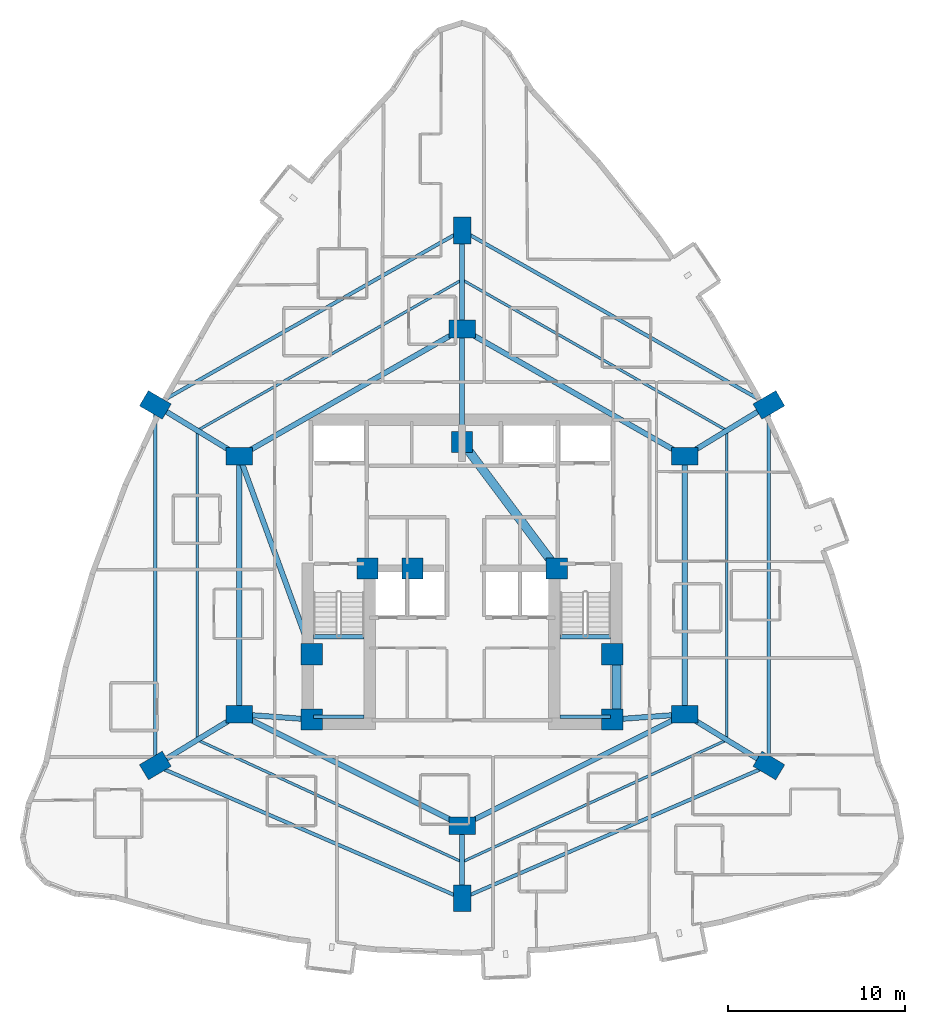
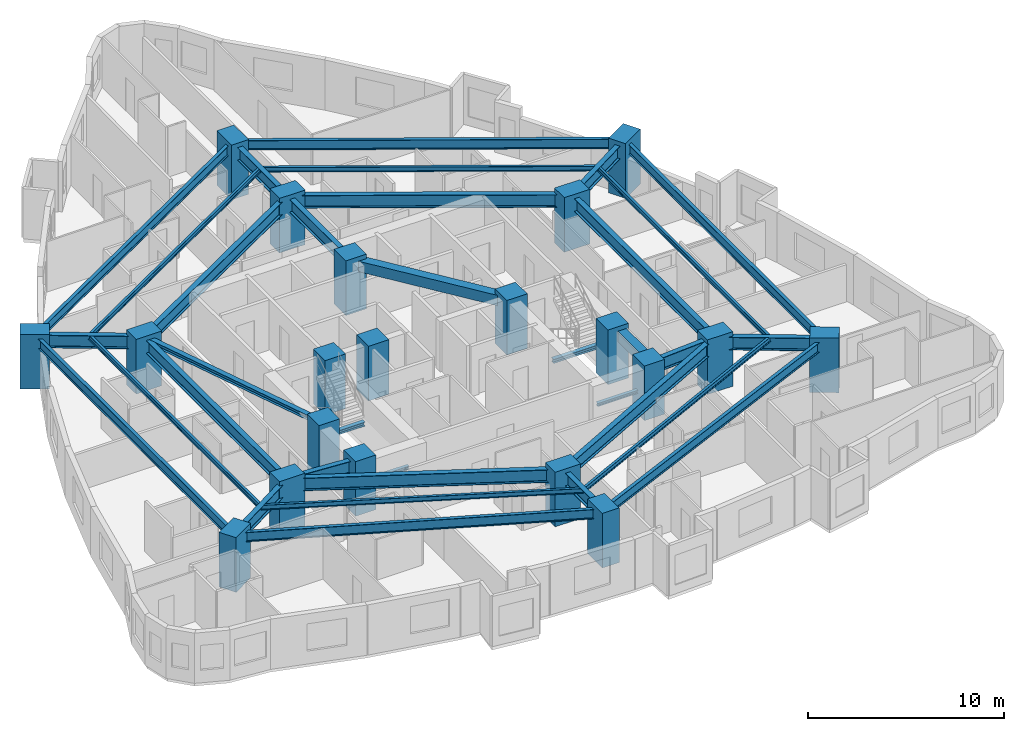
# One storey, part 1 of 15: 34 beams, 20 columns.
"""IFC4 building model written with IfcOpenShell, lengths in metres."""

from ifc_helpers import new_model, si_unit, direction, frame, origin, origin_2d, place, context, subcontext, project, spatial, rectangle, i_section, extrude, material, material_profile, profile_set, type_object, element, save


model = new_model("IFC4")

# Units and contexts
model_context = context("Model", 3, precision=1e-05, world=origin(), true_north=direction((0.0, 1.0)))
body_context = subcontext(model_context, "Body", "Model", "MODEL_VIEW")
ifc_project = project(units=[si_unit("LENGTHUNIT", "METRE"), si_unit("AREAUNIT", "SQUARE_METRE"), si_unit("VOLUMEUNIT", "CUBIC_METRE"), si_unit("PLANEANGLEUNIT", "RADIAN"), si_unit("MASSUNIT", "GRAM", prefix="KILO")], contexts=[model_context])

# Site, building, storey
site_placement = place(None, origin())
site = spatial("IfcSite", under=ifc_project, at=site_placement, CompositionType="ELEMENT")
building_placement = place(site_placement, origin())
building = spatial("IfcBuilding", under=site, at=building_placement, Name="Miruveldt Soraemaru", CompositionType="ELEMENT")
storey_placement = place(building_placement, frame((0.0, 0.0, 39.39990234375)))
storey = spatial("IfcBuildingStorey", under=building, at=storey_placement, Name="L10", CompositionType="ELEMENT", Elevation=39.39990234375)

# Columns
ifc_material_1 = material(Name="Concrete C70/85 (70 MPa)", Category="concrete")
ifc_material_profile_1 = material_profile(ifc_material_1, rectangle(XDim=1.199951171875, YDim=1.199951171875, at=origin_2d()), Name="Concrete C70/85 (70 MPa)", Category="concrete")
ifc_profile_set_1 = profile_set([ifc_material_profile_1], Name="Concrete C70/85 (70 MPa)")
column_type_1 = type_object("IfcColumnType", Name="COL-CORE-1200", PredefinedType="COLUMN", material=ifc_profile_set_1)
for number, where, z_axis, x_axis, name in (
    (1, (35.5, 35.5, 0.0), (0.0, 0.0, 1.0), (1.0, 0.0, 0.0), "L10 Structural Column CC1"),
    (2, (38.64990234375, 44.050048828125, 0.0), (0.0, 0.0, 1.0), (1.0, 0.0, 0.0), "L10 Structural Column CC2"),
    (3, (52.5, 35.5, 0.0), (0.0, 0.0, 1.0), (1.0, 0.0, 0.0), "L10 Structural Column CC3"),
    (4, (52.5, 39.199951171875, 0.0), (0.0, 0.0, 1.0), (1.0, 0.0, 0.0), "L10 Structural Column CC4"),
    (5, (49.35009765625, 44.050048828125, 0.0), (0.0, 0.0, 1.0), (1.0, 0.0, 0.0), "L10 Structural Column CC5"),
    (6, (44.0, 51.199951171875, 0.0), (0.0, 0.0, 1.0), (1.0, 0.0, 0.0), "L10 Structural Column CC6"),
    (7, (35.5, 39.199951171875, 0.0), (0.0, 0.0, 1.0), (1.0, 0.0, 0.0), "L10 Structural Column CC7"),
    (8, (41.199951171875, 44.050048828125, 0.0), (0.0, 0.0, 1.0), (1.0, 0.0, 0.0), "L10 Structural Column CC8"),
):
    element("IfcColumn", number, at=place(storey_placement, frame(where, z_axis=z_axis, x_axis=x_axis)), inside=storey, type_object=column_type_1, Name=name, PredefinedType="COLUMN", context=body_context, shape_type="SweptSolid", body=[
        extrude(rectangle(XDim=1.199951171875, YDim=1.199951171875, at=origin_2d()), origin(), (0.0, 0.0, 1.0), 3.400146484375),
    ])
ifc_material_2 = material(Name="Concrete C80/95 (80 MPa)", Category="concrete")
ifc_material_profile_2 = material_profile(ifc_material_2, rectangle(XDim=1.5, YDim=1.0, at=origin_2d()), Name="Concrete C80/95 (80 MPa)", Category="concrete")
ifc_profile_set_2 = profile_set([ifc_material_profile_2], Name="Concrete C80/95 (80 MPa)")
column_type_2 = type_object("IfcColumnType", Name="COL-TW-Z1A", PredefinedType="COLUMN", material=ifc_profile_set_2)
for number, where, z_axis, x_axis, name in (
    (9, (44.0, 57.60009765625, 0.0), (0.0, 0.0, 1.0), (1.0, 0.0, 0.0), "L10 Structural Column IR01"),
    (10, (56.60009765625, 50.39990234375, 0.0), (0.0, 0.0, 1.0), (1.0, 0.0, 0.0), "L10 Structural Column IR02"),
    (11, (56.60009765625, 35.800048828125, 0.0), (0.0, 0.0, 1.0), (1.0, 0.0, 0.0), "L10 Structural Column IR03"),
    (12, (44.0, 29.5, 0.0), (0.0, 0.0, 1.0), (1.0, 0.0, 0.0), "L10 Structural Column IR04"),
    (13, (31.39990234375, 35.800048828125, 0.0), (0.0, 0.0, 1.0), (1.0, 0.0, 0.0), "L10 Structural Column IR05"),
    (14, (31.39990234375, 50.39990234375, 0.0), (0.0, 0.0, 1.0), (1.0, 0.0, 0.0), "L10 Structural Column IR06"),
    (15, (44.0, 63.16796875, 0.0), (0.0, 0.0, 1.0), (0.0, 1.0, 0.0), "L10 Structural Column Z1P01"),
    (16, (61.35595703125, 53.300048828125, 0.0), (0.0, 0.0, 1.0), (0.864274801954, 0.50301994663, 0.0), "L10 Structural Column Z1P02"),
    (17, (61.35595703125, 32.89990234375, 0.0), (0.0, 0.0, 1.0), (-0.859852271597, 0.510542917912, 0.0), "L10 Structural Column Z1P03"),
    (18, (44.0, 25.382080078125, 0.0), (0.0, 0.0, 1.0), (0.0, 1.0, 0.0), "L10 Structural Column Z1P04"),
    (19, (26.64404296875, 32.89990234375, 0.0), (0.0, 0.0, 1.0), (0.859852271597, 0.510542917912, 0.0), "L10 Structural Column Z1P05"),
    (20, (26.64404296875, 53.300048828125, 0.0), (0.0, 0.0, 1.0), (-0.864274801954, 0.50301994663, 0.0), "L10 Structural Column Z1P06"),
):
    element("IfcColumn", number, at=place(storey_placement, frame(where, z_axis=z_axis, x_axis=x_axis)), inside=storey, type_object=column_type_2, Name=name, PredefinedType="COLUMN", context=body_context, shape_type="SweptSolid", body=[
        extrude(rectangle(XDim=1.5, YDim=1.0, at=origin_2d()), origin(), (0.0, 0.0, 1.0), 3.400146484375),
    ])

# Beams
ifc_material_3 = material(Name="Steel SM355 (355 MPa)", Category="steel")
ifc_material_profile_3 = material_profile(ifc_material_3, i_section(OverallWidth=0.300048828125, OverallDepth=0.300048828125, WebThickness=0.010009765625, FlangeThickness=0.014892578125, FilletRadius=0.01806640625, at=origin_2d()), Name="Steel SM355 (355 MPa)", Category="steel")
ifc_profile_set_3 = profile_set([ifc_material_profile_3], Name="Steel SM355 (355 MPa)")
beam_type_1 = type_object("IfcBeamType", Name="BM-LNT-H300", PredefinedType="LINTEL", material=ifc_profile_set_3)
beam_1_placement = place(storey_placement, frame((31.39990234375, 50.39990234375, 2.97509765625), z_axis=(0.343770424598, -0.939053723262, 0.0), x_axis=(0.939053723262, 0.343770424598, 0.0)))
element("IfcBeam", 21, at=beam_1_placement, inside=storey, type_object=beam_type_1, Name="L10 West Lobby Lintel", PredefinedType="LINTEL", context=body_context, shape_type="SweptSolid", body=[
    extrude(i_section(OverallWidth=0.300048828125, OverallDepth=0.300048828125, WebThickness=0.010009765625, FlangeThickness=0.014892578125, FilletRadius=0.01806640625, at=origin_2d()), origin(), (0.0, 0.0, 1.0), 11.9267578125),
])
ifc_material_4 = material(Name="Concrete C50/60 (50 MPa)", Category="concrete")
ifc_material_profile_4 = material_profile(ifc_material_4, rectangle(XDim=0.5, YDim=0.64990234375, at=origin_2d()), Name="Concrete C50/60 (50 MPa)", Category="concrete")
ifc_profile_set_4 = profile_set([ifc_material_profile_4], Name="Concrete C50/60 (50 MPa)")
beam_type_2 = type_object("IfcBeamType", Name="BM-RC-500x650", PredefinedType="BEAM", material=ifc_profile_set_4)
beam_2_placement = place(storey_placement, frame((52.72998046875, 35.5, 2.800048828125), z_axis=(0.0, 1.0, 0.0), x_axis=(-1.0, 0.0, 0.0)))
element("IfcBeam", 22, at=beam_2_placement, inside=storey, type_object=beam_type_2, Name="L10 Core Tie Beam 3", PredefinedType="BEAM", context=body_context, shape_type="SweptSolid", body=[
    extrude(rectangle(XDim=0.5, YDim=0.64990234375, at=origin_2d()), origin(), (0.0, 0.0, 1.0), 3.699951171875),
])
beam_3_placement = place(storey_placement, frame((49.35009765625, 44.050048828125, 2.800048828125), z_axis=(-0.599116023999, 0.800662219533, 0.0), x_axis=(-0.800662219533, -0.599116023999, 0.0)))
element("IfcBeam", 23, at=beam_3_placement, inside=storey, type_object=beam_type_2, Name="L10 Core Tie Beam 5", PredefinedType="BEAM", context=body_context, shape_type="SweptSolid", body=[
    extrude(rectangle(XDim=0.5, YDim=0.64990234375, at=origin_2d()), origin(), (0.0, 0.0, 1.0), 8.929931640625),
])
ifc_material_profile_5 = material_profile(ifc_material_3, i_section(OverallWidth=0.14990234375, OverallDepth=0.300048828125, WebThickness=0.006591796875, FlangeThickness=0.009033203125, FilletRadius=0.012939453125, at=origin_2d()), Name="Steel SM355 (355 MPa)", Category="steel")
ifc_profile_set_5 = profile_set([ifc_material_profile_5], Name="Steel SM355 (355 MPa)")
beam_type_3 = type_object("IfcBeamType", Name="BM-ST-H300", PredefinedType="JOIST", material=ifc_profile_set_5)
beam_4_placement = place(storey_placement, frame((44.0, 60.384033203125, 2.97509765625), z_axis=(0.868865604585, -0.495048039254, 0.0), x_axis=(0.495048039254, 0.868865604585, 0.0)))
element("IfcBeam", 24, at=beam_4_placement, inside=storey, type_object=beam_type_3, Name="L10 Outer Bay Floor Joist 1", PredefinedType="JOIST", context=body_context, shape_type="SweptSolid", body=[
    extrude(i_section(OverallWidth=0.14990234375, OverallDepth=0.300048828125, WebThickness=0.006591796875, FlangeThickness=0.009033203125, FilletRadius=0.012939453125, at=origin_2d()), origin(), (0.0, 0.0, 1.0), 17.238525390625),
])
beam_5_placement = place(storey_placement, frame((58.97802734375, 51.85009765625, 2.97509765625), z_axis=(0.0, -1.0, 0.0), x_axis=(1.0, 0.0, 0.0)))
element("IfcBeam", 25, at=beam_5_placement, inside=storey, type_object=beam_type_3, Name="L10 Outer Bay Floor Joist 2", PredefinedType="JOIST", context=body_context, shape_type="SweptSolid", body=[
    extrude(i_section(OverallWidth=0.14990234375, OverallDepth=0.300048828125, WebThickness=0.006591796875, FlangeThickness=0.009033203125, FilletRadius=0.012939453125, at=origin_2d()), origin(), (0.0, 0.0, 1.0), 17.5),
])
for number, where, z_axis, x_axis, name in (
    (26, (58.97802734375, 34.35009765625, 2.97509765625), (-0.908046005539, -0.418870447543, 0.0), (0.418870447543, -0.908046005539, 0.0), "L10 Outer Bay Floor Joist 3"),
    (27, (44.0, 27.44091796875, 2.97509765625), (-0.908046005539, 0.418870447543, 0.0), (-0.418870447543, -0.908046005539, 0.0), "L10 Outer Bay Floor Joist 4"),
):
    element("IfcBeam", number, at=place(storey_placement, frame(where, z_axis=z_axis, x_axis=x_axis)), inside=storey, type_object=beam_type_3, Name=name, PredefinedType="JOIST", context=body_context, shape_type="SweptSolid", body=[
        extrude(i_section(OverallWidth=0.14990234375, OverallDepth=0.300048828125, WebThickness=0.006591796875, FlangeThickness=0.009033203125, FilletRadius=0.012939453125, at=origin_2d()), origin(), (0.0, 0.0, 1.0), 16.494873046875),
    ])
beam_6_placement = place(storey_placement, frame((29.02197265625, 34.35009765625, 2.97509765625), z_axis=(0.0, 1.0, 0.0), x_axis=(-1.0, 0.0, 0.0)))
element("IfcBeam", 28, at=beam_6_placement, inside=storey, type_object=beam_type_3, Name="L10 Outer Bay Floor Joist 5", PredefinedType="JOIST", context=body_context, shape_type="SweptSolid", body=[
    extrude(i_section(OverallWidth=0.14990234375, OverallDepth=0.300048828125, WebThickness=0.006591796875, FlangeThickness=0.009033203125, FilletRadius=0.012939453125, at=origin_2d()), origin(), (0.0, 0.0, 1.0), 17.5),
])
beam_7_placement = place(storey_placement, frame((29.02197265625, 51.85009765625, 2.97509765625), z_axis=(0.868865604585, 0.495048039254, 0.0), x_axis=(-0.495048039254, 0.868865604585, 0.0)))
element("IfcBeam", 29, at=beam_7_placement, inside=storey, type_object=beam_type_3, Name="L10 Outer Bay Floor Joist 6", PredefinedType="JOIST", context=body_context, shape_type="SweptSolid", body=[
    extrude(i_section(OverallWidth=0.14990234375, OverallDepth=0.300048828125, WebThickness=0.006591796875, FlangeThickness=0.009033203125, FilletRadius=0.012939453125, at=origin_2d()), origin(), (0.0, 0.0, 1.0), 17.238525390625),
])
ifc_material_profile_6 = material_profile(ifc_material_3, i_section(OverallWidth=0.199951171875, OverallDepth=0.60009765625, WebThickness=0.010986328125, FlangeThickness=0.01708984375, FilletRadius=0.02197265625, at=origin_2d()), Name="Steel SM355 (355 MPa)", Category="steel")
ifc_profile_set_6 = profile_set([ifc_material_profile_6], Name="Steel SM355 (355 MPa)")
beam_type_4 = type_object("IfcBeamType", Name="BM-ST-H600", PredefinedType="SPANDREL", material=ifc_profile_set_6)
beam_8_placement = place(storey_placement, frame((44.0, 63.16796875, 2.8251953125), z_axis=(0.869314947608, -0.494258557706, 0.0), x_axis=(0.494258557706, 0.869314947608, 0.0)))
element("IfcBeam", 30, at=beam_8_placement, inside=storey, type_object=beam_type_4, Name="L10 Zone-1 Spandrel Beam 1", PredefinedType="SPANDREL", context=body_context, shape_type="SweptSolid", body=[
    extrude(i_section(OverallWidth=0.199951171875, OverallDepth=0.60009765625, WebThickness=0.010986328125, FlangeThickness=0.01708984375, FilletRadius=0.02197265625, at=origin_2d()), origin(), (0.0, 0.0, 1.0), 19.965087890625),
])
beam_9_placement = place(storey_placement, frame((61.35595703125, 53.300048828125, 2.8251953125), z_axis=(0.0, -1.0, 0.0), x_axis=(1.0, 0.0, 0.0)))
element("IfcBeam", 31, at=beam_9_placement, inside=storey, type_object=beam_type_4, Name="L10 Zone-1 Spandrel Beam 2", PredefinedType="SPANDREL", context=body_context, shape_type="SweptSolid", body=[
    extrude(i_section(OverallWidth=0.199951171875, OverallDepth=0.60009765625, WebThickness=0.010986328125, FlangeThickness=0.01708984375, FilletRadius=0.02197265625, at=origin_2d()), origin(), (0.0, 0.0, 1.0), 20.400146484375),
])
for number, where, z_axis, x_axis, name in (
    (32, (61.35595703125, 32.89990234375, 2.8251953125), (-0.917615263736, -0.397469782195, 0.0), (0.397469782195, -0.917615263736, 0.0), "L10 Zone-1 Spandrel Beam 3"),
    (33, (44.0, 25.382080078125, 2.8251953125), (-0.917615263736, 0.397469782195, 0.0), (-0.397469782195, -0.917615263736, 0.0), "L10 Zone-1 Spandrel Beam 4"),
):
    element("IfcBeam", number, at=place(storey_placement, frame(where, z_axis=z_axis, x_axis=x_axis)), inside=storey, type_object=beam_type_4, Name=name, PredefinedType="SPANDREL", context=body_context, shape_type="SweptSolid", body=[
        extrude(i_section(OverallWidth=0.199951171875, OverallDepth=0.60009765625, WebThickness=0.010986328125, FlangeThickness=0.01708984375, FilletRadius=0.02197265625, at=origin_2d()), origin(), (0.0, 0.0, 1.0), 18.914306640625),
    ])
beam_10_placement = place(storey_placement, frame((26.64404296875, 32.89990234375, 2.8251953125), z_axis=(0.0, 1.0, 0.0), x_axis=(-1.0, 0.0, 0.0)))
element("IfcBeam", 34, at=beam_10_placement, inside=storey, type_object=beam_type_4, Name="L10 Zone-1 Spandrel Beam 5", PredefinedType="SPANDREL", context=body_context, shape_type="SweptSolid", body=[
    extrude(i_section(OverallWidth=0.199951171875, OverallDepth=0.60009765625, WebThickness=0.010986328125, FlangeThickness=0.01708984375, FilletRadius=0.02197265625, at=origin_2d()), origin(), (0.0, 0.0, 1.0), 20.400146484375),
])
beam_11_placement = place(storey_placement, frame((26.64404296875, 53.300048828125, 2.8251953125), z_axis=(0.869314947608, 0.494258557706, 0.0), x_axis=(-0.494258557706, 0.869314947608, 0.0)))
element("IfcBeam", 35, at=beam_11_placement, inside=storey, type_object=beam_type_4, Name="L10 Zone-1 Spandrel Beam 6", PredefinedType="SPANDREL", context=body_context, shape_type="SweptSolid", body=[
    extrude(i_section(OverallWidth=0.199951171875, OverallDepth=0.60009765625, WebThickness=0.010986328125, FlangeThickness=0.01708984375, FilletRadius=0.02197265625, at=origin_2d()), origin(), (0.0, 0.0, 1.0), 19.965087890625),
])
ifc_material_5 = material(Name="Steel S460 (460 MPa)", Category="steel")
ifc_material_profile_7 = material_profile(ifc_material_5, i_section(OverallWidth=0.300048828125, OverallDepth=0.800048828125, WebThickness=0.013916015625, FlangeThickness=0.02587890625, FilletRadius=0.028076171875, at=origin_2d()), Name="Steel S460 (460 MPa)", Category="steel")
ifc_profile_set_7 = profile_set([ifc_material_profile_7], Name="Steel S460 (460 MPa)")
beam_type_5 = type_object("IfcBeamType", Name="BM-ST-H800", PredefinedType="BEAM", material=ifc_profile_set_7)
beam_12_placement = place(storey_placement, frame((44.0, 57.60009765625, 2.72509765625), z_axis=(0.868239001029, -0.496146185203, 0.0), x_axis=(0.496146185203, 0.868239001029, 0.0)))
element("IfcBeam", 36, at=beam_12_placement, inside=storey, type_object=beam_type_5, Name="L10 Inner Ring Girder 1", PredefinedType="BEAM", context=body_context, shape_type="SweptSolid", body=[
    extrude(i_section(OverallWidth=0.300048828125, OverallDepth=0.800048828125, WebThickness=0.013916015625, FlangeThickness=0.02587890625, FilletRadius=0.028076171875, at=origin_2d()), origin(), (0.0, 0.0, 1.0), 14.51220703125),
])
beam_13_placement = place(storey_placement, frame((44.0, 51.199951171875, 2.72509765625), z_axis=(0.0, 1.0, 0.0), x_axis=(-1.0, 0.0, 0.0)))
element("IfcBeam", 37, at=beam_13_placement, inside=storey, type_object=beam_type_5, Name="L10 Core-to-Inner Radial Girder 1", PredefinedType="BEAM", context=body_context, shape_type="SweptSolid", body=[
    extrude(i_section(OverallWidth=0.300048828125, OverallDepth=0.800048828125, WebThickness=0.013916015625, FlangeThickness=0.02587890625, FilletRadius=0.028076171875, at=origin_2d()), origin(), (0.0, 0.0, 1.0), 6.400146484375),
])
beam_14_placement = place(storey_placement, frame((56.60009765625, 50.39990234375, 2.72509765625), z_axis=(0.0, -1.0, 0.0), x_axis=(1.0, 0.0, 0.0)))
element("IfcBeam", 38, at=beam_14_placement, inside=storey, type_object=beam_type_5, Name="L10 Inner Ring Girder 2", PredefinedType="BEAM", context=body_context, shape_type="SweptSolid", body=[
    extrude(i_section(OverallWidth=0.300048828125, OverallDepth=0.800048828125, WebThickness=0.013916015625, FlangeThickness=0.02587890625, FilletRadius=0.028076171875, at=origin_2d()), origin(), (0.0, 0.0, 1.0), 14.599853515625),
])
beam_15_placement = place(storey_placement, frame((56.60009765625, 35.800048828125, 2.72509765625), z_axis=(-0.894427191, -0.4472135955, 0.0), x_axis=(0.4472135955, -0.894427191, 0.0)))
element("IfcBeam", 39, at=beam_15_placement, inside=storey, type_object=beam_type_5, Name="L10 Inner Ring Girder 3", PredefinedType="BEAM", context=body_context, shape_type="SweptSolid", body=[
    extrude(i_section(OverallWidth=0.300048828125, OverallDepth=0.800048828125, WebThickness=0.013916015625, FlangeThickness=0.02587890625, FilletRadius=0.028076171875, at=origin_2d()), origin(), (0.0, 0.0, 1.0), 14.08740234375),
])
beam_16_placement = place(storey_placement, frame((52.5, 35.5, 2.72509765625), z_axis=(0.997332985605, 0.072985723431, 0.0), x_axis=(-0.072985723431, 0.997332985605, 0.0)))
element("IfcBeam", 40, at=beam_16_placement, inside=storey, type_object=beam_type_5, Name="L10 Core-to-Inner Radial Girder 3", PredefinedType="BEAM", context=body_context, shape_type="SweptSolid", body=[
    extrude(i_section(OverallWidth=0.300048828125, OverallDepth=0.800048828125, WebThickness=0.013916015625, FlangeThickness=0.02587890625, FilletRadius=0.028076171875, at=origin_2d()), origin(), (0.0, 0.0, 1.0), 4.111083984375),
])
beam_17_placement = place(storey_placement, frame((44.0, 29.5, 2.72509765625), z_axis=(-0.894427191, 0.4472135955, 0.0), x_axis=(-0.4472135955, -0.894427191, 0.0)))
element("IfcBeam", 41, at=beam_17_placement, inside=storey, type_object=beam_type_5, Name="L10 Inner Ring Girder 4", PredefinedType="BEAM", context=body_context, shape_type="SweptSolid", body=[
    extrude(i_section(OverallWidth=0.300048828125, OverallDepth=0.800048828125, WebThickness=0.013916015625, FlangeThickness=0.02587890625, FilletRadius=0.028076171875, at=origin_2d()), origin(), (0.0, 0.0, 1.0), 14.08740234375),
])
beam_18_placement = place(storey_placement, frame((31.39990234375, 35.800048828125, 2.72509765625), z_axis=(0.0, 1.0, 0.0), x_axis=(-1.0, 0.0, 0.0)))
element("IfcBeam", 42, at=beam_18_placement, inside=storey, type_object=beam_type_5, Name="L10 Inner Ring Girder 5", PredefinedType="BEAM", context=body_context, shape_type="SweptSolid", body=[
    extrude(i_section(OverallWidth=0.300048828125, OverallDepth=0.800048828125, WebThickness=0.013916015625, FlangeThickness=0.02587890625, FilletRadius=0.028076171875, at=origin_2d()), origin(), (0.0, 0.0, 1.0), 14.599853515625),
])
beam_19_placement = place(storey_placement, frame((35.5, 35.5, 2.72509765625), z_axis=(-0.997332985605, 0.072985723431, 0.0), x_axis=(-0.072985723431, -0.997332985605, 0.0)))
element("IfcBeam", 43, at=beam_19_placement, inside=storey, type_object=beam_type_5, Name="L10 Core-to-Inner Radial Girder 5", PredefinedType="BEAM", context=body_context, shape_type="SweptSolid", body=[
    extrude(i_section(OverallWidth=0.300048828125, OverallDepth=0.800048828125, WebThickness=0.013916015625, FlangeThickness=0.02587890625, FilletRadius=0.028076171875, at=origin_2d()), origin(), (0.0, 0.0, 1.0), 4.111083984375),
])
beam_20_placement = place(storey_placement, frame((31.39990234375, 50.39990234375, 2.72509765625), z_axis=(0.868239001029, 0.496146185203, 0.0), x_axis=(-0.496146185203, 0.868239001029, 0.0)))
element("IfcBeam", 44, at=beam_20_placement, inside=storey, type_object=beam_type_5, Name="L10 Inner Ring Girder 6", PredefinedType="BEAM", context=body_context, shape_type="SweptSolid", body=[
    extrude(i_section(OverallWidth=0.300048828125, OverallDepth=0.800048828125, WebThickness=0.013916015625, FlangeThickness=0.02587890625, FilletRadius=0.028076171875, at=origin_2d()), origin(), (0.0, 0.0, 1.0), 14.51220703125),
])
beam_21_placement = place(storey_placement, frame((44.0, 57.60009765625, 2.72509765625), z_axis=(0.0, 1.0, 0.0), x_axis=(-1.0, 0.0, 0.0)))
element("IfcBeam", 45, at=beam_21_placement, inside=storey, type_object=beam_type_5, Name="L10 Zone-1 Radial Girder 1", PredefinedType="BEAM", context=body_context, shape_type="SweptSolid", body=[
    extrude(i_section(OverallWidth=0.300048828125, OverallDepth=0.800048828125, WebThickness=0.013916015625, FlangeThickness=0.02587890625, FilletRadius=0.028076171875, at=origin_2d()), origin(), (0.0, 0.0, 1.0), 5.56787109375),
])
for number, where, z_axis, x_axis, name in (
    (46, (56.60009765625, 50.39990234375, 2.72509765625), (0.853777644156, 0.520637814935, 0.0), (-0.520637814935, 0.853777644156, 0.0), "L10 Zone-1 Radial Girder 2"),
    (47, (56.60009765625, 35.800048828125, 2.72509765625), (0.853777644156, -0.520637814935, 0.0), (0.520637814935, 0.853777644156, 0.0), "L10 Zone-1 Radial Girder 3"),
):
    element("IfcBeam", number, at=place(storey_placement, frame(where, z_axis=z_axis, x_axis=x_axis)), inside=storey, type_object=beam_type_5, Name=name, PredefinedType="BEAM", context=body_context, shape_type="SweptSolid", body=[
        extrude(i_section(OverallWidth=0.300048828125, OverallDepth=0.800048828125, WebThickness=0.013916015625, FlangeThickness=0.02587890625, FilletRadius=0.028076171875, at=origin_2d()), origin(), (0.0, 0.0, 1.0), 5.5703125),
    ])
beam_22_placement = place(storey_placement, frame((44.0, 29.5, 2.72509765625), z_axis=(0.0, -1.0, 0.0), x_axis=(1.0, 0.0, 0.0)))
element("IfcBeam", 48, at=beam_22_placement, inside=storey, type_object=beam_type_5, Name="L10 Zone-1 Radial Girder 4", PredefinedType="BEAM", context=body_context, shape_type="SweptSolid", body=[
    extrude(i_section(OverallWidth=0.300048828125, OverallDepth=0.800048828125, WebThickness=0.013916015625, FlangeThickness=0.02587890625, FilletRadius=0.028076171875, at=origin_2d()), origin(), (0.0, 0.0, 1.0), 4.117919921875),
])
for number, where, z_axis, x_axis, name in (
    (49, (31.39990234375, 35.800048828125, 2.72509765625), (-0.853777644156, -0.520637814935, 0.0), (0.520637814935, -0.853777644156, 0.0), "L10 Zone-1 Radial Girder 5"),
    (50, (31.39990234375, 50.39990234375, 2.72509765625), (-0.853777644156, 0.520637814935, 0.0), (-0.520637814935, -0.853777644156, 0.0), "L10 Zone-1 Radial Girder 6"),
):
    element("IfcBeam", number, at=place(storey_placement, frame(where, z_axis=z_axis, x_axis=x_axis)), inside=storey, type_object=beam_type_5, Name=name, PredefinedType="BEAM", context=body_context, shape_type="SweptSolid", body=[
        extrude(i_section(OverallWidth=0.300048828125, OverallDepth=0.800048828125, WebThickness=0.013916015625, FlangeThickness=0.02587890625, FilletRadius=0.028076171875, at=origin_2d()), origin(), (0.0, 0.0, 1.0), 5.5703125),
    ])
ifc_material_profile_8 = material_profile(ifc_material_3, i_section(OverallWidth=0.199951171875, OverallDepth=0.199951171875, WebThickness=0.008056640625, FlangeThickness=0.011962890625, FilletRadius=0.012939453125, at=origin_2d()), Name="Steel SM355 (355 MPa)", Category="steel")
ifc_profile_set_8 = profile_set([ifc_material_profile_8], Name="Steel SM355 (355 MPa)")
beam_type_6 = type_object("IfcBeamType", Name="BM-ST-LND200", PredefinedType="BEAM", material=ifc_profile_set_8)
for number, where, z_axis, x_axis, name in (
    (51, (35.60009765625, 35.64990234375, 1.400146484375), (1.0, 0.0, 0.0), (0.0, 1.0, 0.0), "L10 ST1 Landing End Beam 1B"),
    (52, (49.550048828125, 35.64990234375, 1.400146484375), (1.0, 0.0, 0.0), (0.0, 1.0, 0.0), "L10 ST2 Landing End Beam 1B"),
):
    element("IfcBeam", number, at=place(storey_placement, frame(where, z_axis=z_axis, x_axis=x_axis)), inside=storey, type_object=beam_type_6, Name=name, PredefinedType="BEAM", context=body_context, shape_type="SweptSolid", body=[
        extrude(i_section(OverallWidth=0.199951171875, OverallDepth=0.199951171875, WebThickness=0.008056640625, FlangeThickness=0.011962890625, FilletRadius=0.012939453125, at=origin_2d()), origin(), (0.0, 0.0, 1.0), 2.849853515625),
    ])
ifc_material_profile_9 = material_profile(ifc_material_3, i_section(OverallWidth=0.25, OverallDepth=0.25, WebThickness=0.009033203125, FlangeThickness=0.013916015625, FilletRadius=0.01611328125, at=origin_2d()), Name="Steel SM355 (355 MPa)", Category="steel")
ifc_profile_set_9 = profile_set([ifc_material_profile_9], Name="Steel SM355 (355 MPa)")
beam_type_7 = type_object("IfcBeamType", Name="BM-ST-LND250", PredefinedType="BEAM", material=ifc_profile_set_9)
for number, where, z_axis, x_axis, name in (
    (53, (35.60009765625, 40.179931640625, 1.375), (1.0, 0.0, 0.0), (0.0, 1.0, 0.0), "L10 ST1 Landing Support Beam 1A"),
    (54, (49.550048828125, 40.179931640625, 1.375), (1.0, 0.0, 0.0), (0.0, 1.0, 0.0), "L10 ST2 Landing Support Beam 1A"),
):
    element("IfcBeam", number, at=place(storey_placement, frame(where, z_axis=z_axis, x_axis=x_axis)), inside=storey, type_object=beam_type_7, Name=name, PredefinedType="BEAM", context=body_context, shape_type="SweptSolid", body=[
        extrude(i_section(OverallWidth=0.25, OverallDepth=0.25, WebThickness=0.009033203125, FlangeThickness=0.013916015625, FilletRadius=0.01611328125, at=origin_2d()), origin(), (0.0, 0.0, 1.0), 2.849853515625),
    ])

save(model, "model.ifc")
